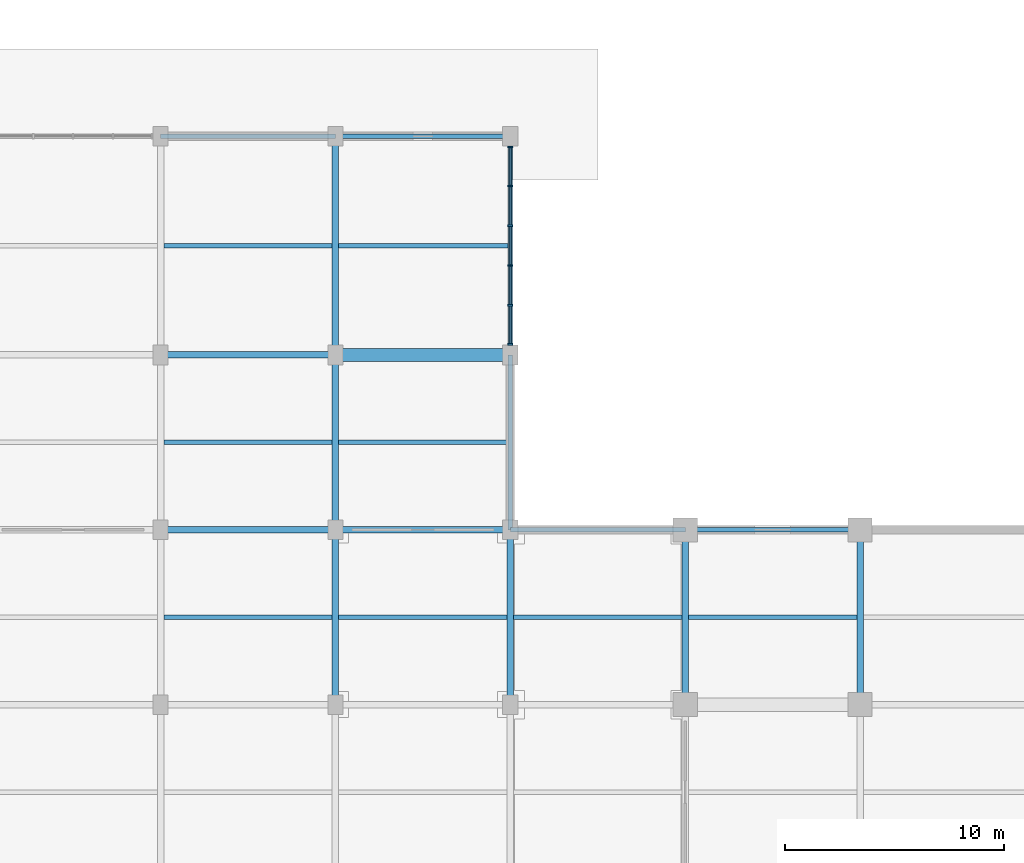
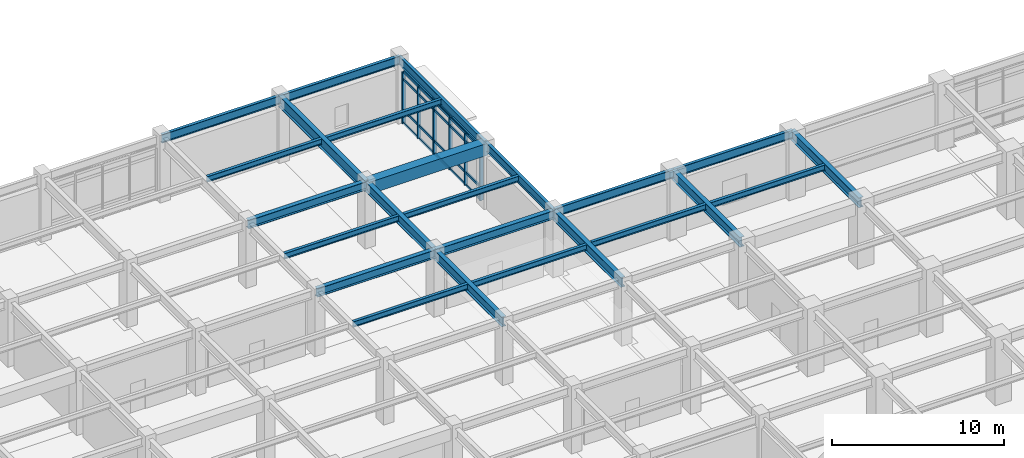
# One storey, part 54 of 125: 26 members, 24 beams, 1 element without a shape of its own.
"""IFC4 building model written with IfcOpenShell, lengths in metres."""

from ifc_helpers import new_model, si_unit, direction, frame, origin, origin_2d, place, context, subcontext, project, spatial, rectangle, i_section, extrude, material, layer, layer_set, material_profile, profile_set, type_object, element, aggregate, save


model = new_model("IFC4")

# Units and contexts
model_context = context("Model", 3, precision=1e-05, world=origin(), true_north=direction((0.0, 1.0)))
body_context = subcontext(model_context, "Body", "Model", "MODEL_VIEW")
ifc_project = project(units=[si_unit("LENGTHUNIT", "METRE"), si_unit("AREAUNIT", "SQUARE_METRE"), si_unit("VOLUMEUNIT", "CUBIC_METRE"), si_unit("PLANEANGLEUNIT", "RADIAN"), si_unit("MASSUNIT", "GRAM", prefix="KILO")], contexts=[model_context])

# Site, building, storey
site_placement = place(None, origin())
site = spatial("IfcSite", under=ifc_project, at=site_placement, CompositionType="ELEMENT")
building_placement = place(site_placement, origin())
building = spatial("IfcBuilding", under=site, at=building_placement, Name="Haebicheon Civic Stadium", CompositionType="ELEMENT")
storey_placement = place(building_placement, origin())
storey = spatial("IfcBuildingStorey", under=building, at=storey_placement, Name="L01", CompositionType="ELEMENT", Elevation=0.0)

# Beams
ifc_material_1 = material(Name="Steel SM355 (S355)", Category="steel")
ifc_material_profile_1 = material_profile(ifc_material_1, i_section(OverallWidth=0.300048828125, OverallDepth=0.60009765625, WebThickness=0.011962890625, FlangeThickness=0.02001953125, at=origin_2d()), Name="H-600x300x12x20")
ifc_profile_set_1 = profile_set([ifc_material_profile_1], Name="Steel SM355 (S355)")
beam_type_1 = type_object("IfcBeamType", Name="BM-ST-H600A", PredefinedType="BEAM", material=ifc_profile_set_1)
for number, where, z_axis, x_axis, name in (
    (1, (184.0, 160.0, 4.219970703125), (1.0, 0.0, 0.0), (0.0, 1.0, 0.0), "L01 beam W/24-25"),
    (2, (184.0, 168.0, 4.219970703125), (1.0, 0.0, 0.0), (0.0, 1.0, 0.0), "L01 beam X/24-25"),
    (3, (192.0, 160.0, 4.219970703125), (1.0, 0.0, 0.0), (0.0, 1.0, 0.0), "L01 beam W/25-26"),
):
    element("IfcBeam", number, at=place(storey_placement, frame(where, z_axis=z_axis, x_axis=x_axis)), inside=storey, type_object=beam_type_1, material=ifc_profile_set_1, Name=name, PredefinedType="BEAM", context=body_context, shape_type="SweptSolid", body=[
        extrude(i_section(OverallWidth=0.300048828125, OverallDepth=0.60009765625, WebThickness=0.011962890625, FlangeThickness=0.02001953125, at=origin_2d()), origin(), (0.0, 0.0, 1.0), 8.0),
    ])
ifc_material_2 = material(Name="Steel SM490", Category="steel")
ifc_material_profile_2 = material_profile(ifc_material_2, i_section(OverallWidth=0.300048828125, OverallDepth=0.699951171875, WebThickness=0.012939453125, FlangeThickness=0.02392578125, at=origin_2d()), Name="H-700x300x13x24")
ifc_profile_set_2 = profile_set([ifc_material_profile_2], Name="Steel SM490")
beam_type_2 = type_object("IfcBeamType", Name="BM-ST-H700", PredefinedType="BEAM", material=ifc_profile_set_2)
for number, where, z_axis, x_axis, name in (
    (4, (192.0, 152.0, 4.169921875), (0.0, 1.0, 0.0), (-1.0, 0.0, 0.0), "L01 girder 25/V-W"),
    (5, (192.0, 160.0, 4.169921875), (0.0, 1.0, 0.0), (-1.0, 0.0, 0.0), "L01 girder 25/W-X"),
    (6, (200.0, 152.0, 4.169921875), (0.0, 1.0, 0.0), (-1.0, 0.0, 0.0), "L01 girder 26/V-W"),
    (7, (208.0, 152.0, 4.22998046875), (0.0, 1.0, 0.0), (-1.0, 0.0, 0.0), "L01 girder 27/V-W"),
    (8, (216.0, 152.0, 4.22998046875), (0.0, 1.0, 0.0), (-1.0, 0.0, 0.0), "L01 girder 28/V-W"),
):
    element("IfcBeam", number, at=place(storey_placement, frame(where, z_axis=z_axis, x_axis=x_axis)), inside=storey, type_object=beam_type_2, material=ifc_profile_set_2, Name=name, PredefinedType="BEAM", context=body_context, shape_type="SweptSolid", body=[
        extrude(i_section(OverallWidth=0.300048828125, OverallDepth=0.699951171875, WebThickness=0.012939453125, FlangeThickness=0.02392578125, at=origin_2d()), origin(), (0.0, 0.0, 1.0), 8.0),
    ])
ifc_material_3 = material(Name="Steel SM490", Category="steel")
ifc_material_profile_3 = material_profile(ifc_material_3, i_section(OverallWidth=0.300048828125, OverallDepth=0.800048828125, WebThickness=0.013916015625, FlangeThickness=0.02587890625, at=origin_2d()), Name="H-800x300x14x26")
ifc_profile_set_3 = profile_set([ifc_material_profile_3], Name="Steel SM490")
beam_type_3 = type_object("IfcBeamType", Name="BM-ST-H800", PredefinedType="BEAM", material=ifc_profile_set_3)
beam_1_placement = place(storey_placement, frame((192.0, 168.0, 4.1201171875), z_axis=(0.0, 1.0, 0.0), x_axis=(-1.0, 0.0, 0.0)))
element("IfcBeam", 9, at=beam_1_placement, inside=storey, type_object=beam_type_3, material=ifc_profile_set_3, Name="L01 girder 25/X-Y", PredefinedType="BEAM", context=body_context, shape_type="SweptSolid", body=[
    extrude(i_section(OverallWidth=0.300048828125, OverallDepth=0.800048828125, WebThickness=0.013916015625, FlangeThickness=0.02587890625, at=origin_2d()), origin(), (0.0, 0.0, 1.0), 10.0),
])
ifc_material_4 = material(Name="Precast concrete C40/50", Category="concrete")
ifc_material_profile_4 = material_profile(ifc_material_4, rectangle(XDim=0.60009765625, YDim=0.85009765625, at=origin_2d()), Name="PC-TB-600x850")
ifc_profile_set_4 = profile_set([ifc_material_profile_4], Name="Precast concrete C40/50")
beam_type_4 = type_object("IfcBeamType", Name="BM-TB-600x850", PredefinedType="T_BEAM", material=ifc_profile_set_4)
beam_2_placement = place(storey_placement, frame((192.0, 168.0, 4.094970703125), z_axis=(1.0, 0.0, 0.0), x_axis=(0.0, 1.0, 0.0)))
element("IfcBeam", 10, at=beam_2_placement, inside=storey, type_object=beam_type_4, material=ifc_profile_set_4, Name="L01 beam X/25-26", PredefinedType="T_BEAM", context=body_context, shape_type="SweptSolid", body=[
    extrude(rectangle(XDim=0.60009765625, YDim=0.85009765625, at=origin_2d()), origin(), (0.0, 0.0, 1.0), 8.0),
])

# Curtain wall, members
ifc_material_5 = material(Name="Anodised aluminium and laminated glass", Category="aluminium")
ifc_layer = layer(ifc_material_5, 0.179931640625, Name="Anodised aluminium and laminated glass")
ifc_layer_set = layer_set([ifc_layer], Name="Anodised aluminium and laminated glass")
curtain_wall_type = type_object("IfcCurtainWallType", Name="CW-9100x3660", PredefinedType="NOTDEFINED", material=ifc_layer_set)
curtain_wall_placement = place(storey_placement, origin())
curtain_wall = element("IfcCurtainWall", 11, at=curtain_wall_placement, inside=storey, type_object=curtain_wall_type, material=ifc_layer_set, Name="L01 unitised curtain wall 024", PredefinedType="NOTDEFINED")
ifc_material_6 = material(Name="Anodised aluminium 6063-T6", Category="aluminium")
ifc_material_profile_5 = material_profile(ifc_material_6, rectangle(XDim=0.080078125, YDim=0.239990234375, at=origin_2d()), Name="ALU-MULL-80x240")
ifc_profile_set_5 = profile_set([ifc_material_profile_5], Name="Anodised aluminium 6063-T6")
member_type_1 = type_object("IfcMemberType", Name="CWM-240x80", PredefinedType="MULLION", material=ifc_profile_set_5)
member_1_placement = place(storey_placement, frame((200.0, 168.489990234375, 0.0), z_axis=(0.0, 0.0, 1.0), x_axis=(0.0, 1.0, 0.0)))
member_1 = element("IfcMember", 12, at=member_1_placement, type_object=member_type_1, material=ifc_profile_set_5, Name="CW-L01-024 vertical mullion 1", PredefinedType="MULLION", context=body_context, shape_type="SweptSolid", body=[
    extrude(rectangle(XDim=0.080078125, YDim=0.239990234375, at=origin_2d()), origin(), (0.0, 0.0, 1.0), 3.659912109375),
])
member_2_placement = place(storey_placement, frame((200.0, 170.27001953125, 0.0), z_axis=(0.0, 0.0, 1.0), x_axis=(0.0, 1.0, 0.0)))
member_2 = element("IfcMember", 13, at=member_2_placement, type_object=member_type_1, material=ifc_profile_set_5, Name="CW-L01-024 vertical mullion 2", PredefinedType="MULLION", context=body_context, shape_type="SweptSolid", body=[
    extrude(rectangle(XDim=0.080078125, YDim=0.239990234375, at=origin_2d()), origin(), (0.0, 0.0, 1.0), 3.659912109375),
])
member_3_placement = place(storey_placement, frame((200.0, 172.090087890625, 0.0), z_axis=(0.0, 0.0, 1.0), x_axis=(0.0, 1.0, 0.0)))
member_3 = element("IfcMember", 14, at=member_3_placement, type_object=member_type_1, material=ifc_profile_set_5, Name="CW-L01-024 vertical mullion 3", PredefinedType="MULLION", context=body_context, shape_type="SweptSolid", body=[
    extrude(rectangle(XDim=0.080078125, YDim=0.239990234375, at=origin_2d()), origin(), (0.0, 0.0, 1.0), 3.659912109375),
])
member_4_placement = place(storey_placement, frame((200.0, 173.909912109375, 0.0), z_axis=(0.0, 0.0, 1.0), x_axis=(0.0, 1.0, 0.0)))
member_4 = element("IfcMember", 15, at=member_4_placement, type_object=member_type_1, material=ifc_profile_set_5, Name="CW-L01-024 vertical mullion 4", PredefinedType="MULLION", context=body_context, shape_type="SweptSolid", body=[
    extrude(rectangle(XDim=0.080078125, YDim=0.239990234375, at=origin_2d()), origin(), (0.0, 0.0, 1.0), 3.659912109375),
])
member_5_placement = place(storey_placement, frame((200.0, 175.72998046875, 0.0), z_axis=(0.0, 0.0, 1.0), x_axis=(0.0, 1.0, 0.0)))
member_5 = element("IfcMember", 16, at=member_5_placement, type_object=member_type_1, material=ifc_profile_set_5, Name="CW-L01-024 vertical mullion 5", PredefinedType="MULLION", context=body_context, shape_type="SweptSolid", body=[
    extrude(rectangle(XDim=0.080078125, YDim=0.239990234375, at=origin_2d()), origin(), (0.0, 0.0, 1.0), 3.659912109375),
])
member_6_placement = place(storey_placement, frame((200.0, 177.510009765625, 0.0), z_axis=(0.0, 0.0, 1.0), x_axis=(0.0, 1.0, 0.0)))
member_6 = element("IfcMember", 17, at=member_6_placement, type_object=member_type_1, material=ifc_profile_set_5, Name="CW-L01-024 vertical mullion 6", PredefinedType="MULLION", context=body_context, shape_type="SweptSolid", body=[
    extrude(rectangle(XDim=0.080078125, YDim=0.239990234375, at=origin_2d()), origin(), (0.0, 0.0, 1.0), 3.659912109375),
])
ifc_material_7 = material(Name="Anodised aluminium 6063-T6", Category="aluminium")
ifc_material_profile_6 = material_profile(ifc_material_7, rectangle(XDim=0.080078125, YDim=0.179931640625, at=origin_2d()), Name="ALU-TRAN-80x180")
ifc_profile_set_6 = profile_set([ifc_material_profile_6], Name="Anodised aluminium 6063-T6")
member_type_2 = type_object("IfcMemberType", Name="CWT-180x80", PredefinedType="NOTDEFINED", material=ifc_profile_set_6)
member_7_placement = place(storey_placement, frame((200.0, 168.530029296875, 0.0), z_axis=(0.0, 1.0, 0.0), x_axis=(-1.0, 0.0, 0.0)))
member_7 = element("IfcMember", 18, at=member_7_placement, type_object=member_type_2, material=ifc_profile_set_6, Name="CW-L01-024 horizontal transom 1.1", ObjectType="TRANSOM", PredefinedType="USERDEFINED", context=body_context, shape_type="SweptSolid", body=[
    extrude(rectangle(XDim=0.080078125, YDim=0.179931640625, at=origin_2d()), origin(), (0.0, 0.0, 1.0), 1.699951171875),
])
member_8_placement = place(storey_placement, frame((200.0, 168.530029296875, 0.89990234375), z_axis=(0.0, 1.0, 0.0), x_axis=(-1.0, 0.0, 0.0)))
member_8 = element("IfcMember", 19, at=member_8_placement, type_object=member_type_2, material=ifc_profile_set_6, Name="CW-L01-024 horizontal transom 1.2", ObjectType="TRANSOM", PredefinedType="USERDEFINED", context=body_context, shape_type="SweptSolid", body=[
    extrude(rectangle(XDim=0.080078125, YDim=0.179931640625, at=origin_2d()), origin(), (0.0, 0.0, 1.0), 1.699951171875),
])
member_9_placement = place(storey_placement, frame((200.0, 168.530029296875, 3.110107421875), z_axis=(0.0, 1.0, 0.0), x_axis=(-1.0, 0.0, 0.0)))
member_9 = element("IfcMember", 20, at=member_9_placement, type_object=member_type_2, material=ifc_profile_set_6, Name="CW-L01-024 horizontal transom 1.3", ObjectType="TRANSOM", PredefinedType="USERDEFINED", context=body_context, shape_type="SweptSolid", body=[
    extrude(rectangle(XDim=0.080078125, YDim=0.179931640625, at=origin_2d()), origin(), (0.0, 0.0, 1.0), 1.699951171875),
])
member_10_placement = place(storey_placement, frame((200.0, 168.530029296875, 3.659912109375), z_axis=(0.0, 1.0, 0.0), x_axis=(-1.0, 0.0, 0.0)))
member_10 = element("IfcMember", 21, at=member_10_placement, type_object=member_type_2, material=ifc_profile_set_6, Name="CW-L01-024 horizontal transom 1.4", ObjectType="TRANSOM", PredefinedType="USERDEFINED", context=body_context, shape_type="SweptSolid", body=[
    extrude(rectangle(XDim=0.080078125, YDim=0.179931640625, at=origin_2d()), origin(), (0.0, 0.0, 1.0), 1.699951171875),
])
member_11_placement = place(storey_placement, frame((200.0, 170.31005859375, 0.0), z_axis=(0.0, 1.0, 0.0), x_axis=(-1.0, 0.0, 0.0)))
member_11 = element("IfcMember", 22, at=member_11_placement, type_object=member_type_2, material=ifc_profile_set_6, Name="CW-L01-024 horizontal transom 2.1", ObjectType="TRANSOM", PredefinedType="USERDEFINED", context=body_context, shape_type="SweptSolid", body=[
    extrude(rectangle(XDim=0.080078125, YDim=0.179931640625, at=origin_2d()), origin(), (0.0, 0.0, 1.0), 1.739990234375),
])
member_12_placement = place(storey_placement, frame((200.0, 170.31005859375, 0.89990234375), z_axis=(0.0, 1.0, 0.0), x_axis=(-1.0, 0.0, 0.0)))
member_12 = element("IfcMember", 23, at=member_12_placement, type_object=member_type_2, material=ifc_profile_set_6, Name="CW-L01-024 horizontal transom 2.2", ObjectType="TRANSOM", PredefinedType="USERDEFINED", context=body_context, shape_type="SweptSolid", body=[
    extrude(rectangle(XDim=0.080078125, YDim=0.179931640625, at=origin_2d()), origin(), (0.0, 0.0, 1.0), 1.739990234375),
])
member_13_placement = place(storey_placement, frame((200.0, 170.31005859375, 3.110107421875), z_axis=(0.0, 1.0, 0.0), x_axis=(-1.0, 0.0, 0.0)))
member_13 = element("IfcMember", 24, at=member_13_placement, type_object=member_type_2, material=ifc_profile_set_6, Name="CW-L01-024 horizontal transom 2.3", ObjectType="TRANSOM", PredefinedType="USERDEFINED", context=body_context, shape_type="SweptSolid", body=[
    extrude(rectangle(XDim=0.080078125, YDim=0.179931640625, at=origin_2d()), origin(), (0.0, 0.0, 1.0), 1.739990234375),
])
member_14_placement = place(storey_placement, frame((200.0, 170.31005859375, 3.659912109375), z_axis=(0.0, 1.0, 0.0), x_axis=(-1.0, 0.0, 0.0)))
member_14 = element("IfcMember", 25, at=member_14_placement, type_object=member_type_2, material=ifc_profile_set_6, Name="CW-L01-024 horizontal transom 2.4", ObjectType="TRANSOM", PredefinedType="USERDEFINED", context=body_context, shape_type="SweptSolid", body=[
    extrude(rectangle(XDim=0.080078125, YDim=0.179931640625, at=origin_2d()), origin(), (0.0, 0.0, 1.0), 1.739990234375),
])
member_15_placement = place(storey_placement, frame((200.0, 172.1298828125, 0.0), z_axis=(0.0, 1.0, 0.0), x_axis=(-1.0, 0.0, 0.0)))
member_15 = element("IfcMember", 26, at=member_15_placement, type_object=member_type_2, material=ifc_profile_set_6, Name="CW-L01-024 horizontal transom 3.1", ObjectType="TRANSOM", PredefinedType="USERDEFINED", context=body_context, shape_type="SweptSolid", body=[
    extrude(rectangle(XDim=0.080078125, YDim=0.179931640625, at=origin_2d()), origin(), (0.0, 0.0, 1.0), 1.740234375),
])
member_16_placement = place(storey_placement, frame((200.0, 172.1298828125, 0.89990234375), z_axis=(0.0, 1.0, 0.0), x_axis=(-1.0, 0.0, 0.0)))
member_16 = element("IfcMember", 27, at=member_16_placement, type_object=member_type_2, material=ifc_profile_set_6, Name="CW-L01-024 horizontal transom 3.2", ObjectType="TRANSOM", PredefinedType="USERDEFINED", context=body_context, shape_type="SweptSolid", body=[
    extrude(rectangle(XDim=0.080078125, YDim=0.179931640625, at=origin_2d()), origin(), (0.0, 0.0, 1.0), 1.740234375),
])
member_17_placement = place(storey_placement, frame((200.0, 172.1298828125, 3.110107421875), z_axis=(0.0, 1.0, 0.0), x_axis=(-1.0, 0.0, 0.0)))
member_17 = element("IfcMember", 28, at=member_17_placement, type_object=member_type_2, material=ifc_profile_set_6, Name="CW-L01-024 horizontal transom 3.3", ObjectType="TRANSOM", PredefinedType="USERDEFINED", context=body_context, shape_type="SweptSolid", body=[
    extrude(rectangle(XDim=0.080078125, YDim=0.179931640625, at=origin_2d()), origin(), (0.0, 0.0, 1.0), 1.740234375),
])
member_18_placement = place(storey_placement, frame((200.0, 172.1298828125, 3.659912109375), z_axis=(0.0, 1.0, 0.0), x_axis=(-1.0, 0.0, 0.0)))
member_18 = element("IfcMember", 29, at=member_18_placement, type_object=member_type_2, material=ifc_profile_set_6, Name="CW-L01-024 horizontal transom 3.4", ObjectType="TRANSOM", PredefinedType="USERDEFINED", context=body_context, shape_type="SweptSolid", body=[
    extrude(rectangle(XDim=0.080078125, YDim=0.179931640625, at=origin_2d()), origin(), (0.0, 0.0, 1.0), 1.740234375),
])
member_19_placement = place(storey_placement, frame((200.0, 173.949951171875, 0.0), z_axis=(0.0, 1.0, 0.0), x_axis=(-1.0, 0.0, 0.0)))
member_19 = element("IfcMember", 30, at=member_19_placement, type_object=member_type_2, material=ifc_profile_set_6, Name="CW-L01-024 horizontal transom 4.1", ObjectType="TRANSOM", PredefinedType="USERDEFINED", context=body_context, shape_type="SweptSolid", body=[
    extrude(rectangle(XDim=0.080078125, YDim=0.179931640625, at=origin_2d()), origin(), (0.0, 0.0, 1.0), 1.739990234375),
])
member_20_placement = place(storey_placement, frame((200.0, 173.949951171875, 0.89990234375), z_axis=(0.0, 1.0, 0.0), x_axis=(-1.0, 0.0, 0.0)))
member_20 = element("IfcMember", 31, at=member_20_placement, type_object=member_type_2, material=ifc_profile_set_6, Name="CW-L01-024 horizontal transom 4.2", ObjectType="TRANSOM", PredefinedType="USERDEFINED", context=body_context, shape_type="SweptSolid", body=[
    extrude(rectangle(XDim=0.080078125, YDim=0.179931640625, at=origin_2d()), origin(), (0.0, 0.0, 1.0), 1.739990234375),
])
member_21_placement = place(storey_placement, frame((200.0, 173.949951171875, 3.110107421875), z_axis=(0.0, 1.0, 0.0), x_axis=(-1.0, 0.0, 0.0)))
member_21 = element("IfcMember", 32, at=member_21_placement, type_object=member_type_2, material=ifc_profile_set_6, Name="CW-L01-024 horizontal transom 4.3", ObjectType="TRANSOM", PredefinedType="USERDEFINED", context=body_context, shape_type="SweptSolid", body=[
    extrude(rectangle(XDim=0.080078125, YDim=0.179931640625, at=origin_2d()), origin(), (0.0, 0.0, 1.0), 1.739990234375),
])
member_22_placement = place(storey_placement, frame((200.0, 173.949951171875, 3.659912109375), z_axis=(0.0, 1.0, 0.0), x_axis=(-1.0, 0.0, 0.0)))
member_22 = element("IfcMember", 33, at=member_22_placement, type_object=member_type_2, material=ifc_profile_set_6, Name="CW-L01-024 horizontal transom 4.4", ObjectType="TRANSOM", PredefinedType="USERDEFINED", context=body_context, shape_type="SweptSolid", body=[
    extrude(rectangle(XDim=0.080078125, YDim=0.179931640625, at=origin_2d()), origin(), (0.0, 0.0, 1.0), 1.739990234375),
])
member_23_placement = place(storey_placement, frame((200.0, 175.77001953125, 0.0), z_axis=(0.0, 1.0, 0.0), x_axis=(-1.0, 0.0, 0.0)))
member_23 = element("IfcMember", 34, at=member_23_placement, type_object=member_type_2, material=ifc_profile_set_6, Name="CW-L01-024 horizontal transom 5.1", ObjectType="TRANSOM", PredefinedType="USERDEFINED", context=body_context, shape_type="SweptSolid", body=[
    extrude(rectangle(XDim=0.080078125, YDim=0.179931640625, at=origin_2d()), origin(), (0.0, 0.0, 1.0), 1.699951171875),
])
member_24_placement = place(storey_placement, frame((200.0, 175.77001953125, 0.89990234375), z_axis=(0.0, 1.0, 0.0), x_axis=(-1.0, 0.0, 0.0)))
member_24 = element("IfcMember", 35, at=member_24_placement, type_object=member_type_2, material=ifc_profile_set_6, Name="CW-L01-024 horizontal transom 5.2", ObjectType="TRANSOM", PredefinedType="USERDEFINED", context=body_context, shape_type="SweptSolid", body=[
    extrude(rectangle(XDim=0.080078125, YDim=0.179931640625, at=origin_2d()), origin(), (0.0, 0.0, 1.0), 1.699951171875),
])
member_25_placement = place(storey_placement, frame((200.0, 175.77001953125, 3.110107421875), z_axis=(0.0, 1.0, 0.0), x_axis=(-1.0, 0.0, 0.0)))
member_25 = element("IfcMember", 36, at=member_25_placement, type_object=member_type_2, material=ifc_profile_set_6, Name="CW-L01-024 horizontal transom 5.3", ObjectType="TRANSOM", PredefinedType="USERDEFINED", context=body_context, shape_type="SweptSolid", body=[
    extrude(rectangle(XDim=0.080078125, YDim=0.179931640625, at=origin_2d()), origin(), (0.0, 0.0, 1.0), 1.699951171875),
])
member_26_placement = place(storey_placement, frame((200.0, 175.77001953125, 3.659912109375), z_axis=(0.0, 1.0, 0.0), x_axis=(-1.0, 0.0, 0.0)))
member_26 = element("IfcMember", 37, at=member_26_placement, type_object=member_type_2, material=ifc_profile_set_6, Name="CW-L01-024 horizontal transom 5.4", ObjectType="TRANSOM", PredefinedType="USERDEFINED", context=body_context, shape_type="SweptSolid", body=[
    extrude(rectangle(XDim=0.080078125, YDim=0.179931640625, at=origin_2d()), origin(), (0.0, 0.0, 1.0), 1.699951171875),
])
aggregate(curtain_wall, [member_1, member_2, member_3, member_4, member_5, member_6, member_7, member_8, member_9, member_10, member_11, member_12, member_13, member_14, member_15, member_16, member_17, member_18, member_19, member_20, member_21, member_22, member_23, member_24, member_25, member_26])

# Beams
ifc_material_8 = material(Name="Steel SM355 (S355)", Category="steel")
ifc_material_profile_7 = material_profile(ifc_material_8, i_section(OverallWidth=0.199951171875, OverallDepth=0.39990234375, WebThickness=0.008056640625, FlangeThickness=0.012939453125, at=origin_2d()), Name="H-400x200x8x13")
ifc_profile_set_7 = profile_set([ifc_material_profile_7], Name="Steel SM355 (S355)")
beam_type_5 = type_object("IfcBeamType", Name="JST-ST-H400", PredefinedType="JOIST", material=ifc_profile_set_7)
for number, where, z_axis, x_axis, name in (
    (38, (184.14990234375, 156.0, 4.320068359375), (1.0, 0.0, 0.0), (0.0, 1.0, 0.0), "L01 secondary joist 23-19"),
    (39, (184.14990234375, 164.0, 4.320068359375), (1.0, 0.0, 0.0), (0.0, 1.0, 0.0), "L01 secondary joist 23-20"),
    (40, (184.14990234375, 173.0, 4.320068359375), (1.0, 0.0, 0.0), (0.0, 1.0, 0.0), "L01 secondary joist 23-21"),
    (41, (192.14990234375, 156.0, 4.320068359375), (1.0, 0.0, 0.0), (0.0, 1.0, 0.0), "L01 secondary joist 24-19"),
):
    element("IfcBeam", number, at=place(storey_placement, frame(where, z_axis=z_axis, x_axis=x_axis)), inside=storey, type_object=beam_type_5, material=ifc_profile_set_7, Name=name, PredefinedType="JOIST", context=body_context, shape_type="SweptSolid", body=[
        extrude(i_section(OverallWidth=0.199951171875, OverallDepth=0.39990234375, WebThickness=0.008056640625, FlangeThickness=0.012939453125, at=origin_2d()), origin(), (0.0, 0.0, 1.0), 7.7001953125),
    ])
for number, where, z_axis, x_axis, name in (
    (42, (192.14990234375, 164.0, 4.320068359375), (1.0, 0.0, 0.0), (0.0, 1.0, 0.0), "L01 secondary joist 24-20"),
    (43, (192.14990234375, 173.0, 4.320068359375), (1.0, 0.0, 0.0), (0.0, 1.0, 0.0), "L01 secondary joist 24-21"),
):
    element("IfcBeam", number, at=place(storey_placement, frame(where, z_axis=z_axis, x_axis=x_axis)), inside=storey, type_object=beam_type_5, material=ifc_profile_set_7, Name=name, PredefinedType="JOIST", context=body_context, shape_type="SweptSolid", body=[
        extrude(i_section(OverallWidth=0.199951171875, OverallDepth=0.39990234375, WebThickness=0.008056640625, FlangeThickness=0.012939453125, at=origin_2d()), origin(), (0.0, 0.0, 1.0), 7.75),
    ])
for number, where, z_axis, x_axis, name in (
    (44, (200.14990234375, 156.0, 4.3798828125), (1.0, 0.0, 0.0), (0.0, 1.0, 0.0), "L01 secondary joist 25-19"),
    (45, (208.14990234375, 156.0, 4.3798828125), (1.0, 0.0, 0.0), (0.0, 1.0, 0.0), "L01 secondary joist 26-19"),
):
    element("IfcBeam", number, at=place(storey_placement, frame(where, z_axis=z_axis, x_axis=x_axis)), inside=storey, type_object=beam_type_5, material=ifc_profile_set_7, Name=name, PredefinedType="JOIST", context=body_context, shape_type="SweptSolid", body=[
        extrude(i_section(OverallWidth=0.199951171875, OverallDepth=0.39990234375, WebThickness=0.008056640625, FlangeThickness=0.012939453125, at=origin_2d()), origin(), (0.0, 0.0, 1.0), 7.7001953125),
    ])
ifc_material_9 = material(Name="Steel SM355 (S355)", Category="steel")
ifc_material_profile_8 = material_profile(ifc_material_9, i_section(OverallWidth=0.199951171875, OverallDepth=0.60009765625, WebThickness=0.010986328125, FlangeThickness=0.01708984375, at=origin_2d()), Name="H-600x200x11x17")
ifc_profile_set_8 = profile_set([ifc_material_profile_8], Name="Steel SM355 (S355)")
beam_type_6 = type_object("IfcBeamType", Name="SPD-ST-H600B", PredefinedType="SPANDREL", material=ifc_profile_set_8)
beam_3_placement = place(storey_placement, frame((200.0, 160.0, 4.219970703125), z_axis=(0.0, 1.0, 0.0), x_axis=(-1.0, 0.0, 0.0)))
element("IfcBeam", 46, at=beam_3_placement, inside=storey, type_object=beam_type_6, material=ifc_profile_set_8, Name="L01 girder 26/W-X", PredefinedType="SPANDREL", context=body_context, shape_type="SweptSolid", body=[
    extrude(i_section(OverallWidth=0.199951171875, OverallDepth=0.60009765625, WebThickness=0.010986328125, FlangeThickness=0.01708984375, at=origin_2d()), origin(), (0.0, 0.0, 1.0), 8.0),
])
beam_4_placement = place(storey_placement, frame((200.0, 168.0, 4.219970703125), z_axis=(0.0, 1.0, 0.0), x_axis=(-1.0, 0.0, 0.0)))
element("IfcBeam", 47, at=beam_4_placement, inside=storey, type_object=beam_type_6, material=ifc_profile_set_8, Name="L01 girder 26/X-Y", PredefinedType="SPANDREL", context=body_context, shape_type="SweptSolid", body=[
    extrude(i_section(OverallWidth=0.199951171875, OverallDepth=0.60009765625, WebThickness=0.010986328125, FlangeThickness=0.01708984375, at=origin_2d()), origin(), (0.0, 0.0, 1.0), 10.0),
])
for number, where, z_axis, x_axis, name in (
    (48, (184.0, 178.0, 4.219970703125), (1.0, 0.0, 0.0), (0.0, 1.0, 0.0), "L01 beam Y/24-25"),
    (49, (192.0, 178.0, 4.219970703125), (1.0, 0.0, 0.0), (0.0, 1.0, 0.0), "L01 beam Y/25-26"),
    (50, (200.0, 160.0, 4.280029296875), (1.0, 0.0, 0.0), (0.0, 1.0, 0.0), "L01 beam W/26-27"),
    (51, (208.0, 160.0, 4.280029296875), (1.0, 0.0, 0.0), (0.0, 1.0, 0.0), "L01 beam W/27-28"),
):
    element("IfcBeam", number, at=place(storey_placement, frame(where, z_axis=z_axis, x_axis=x_axis)), inside=storey, type_object=beam_type_6, material=ifc_profile_set_8, Name=name, PredefinedType="SPANDREL", context=body_context, shape_type="SweptSolid", body=[
        extrude(i_section(OverallWidth=0.199951171875, OverallDepth=0.60009765625, WebThickness=0.010986328125, FlangeThickness=0.01708984375, at=origin_2d()), origin(), (0.0, 0.0, 1.0), 8.0),
    ])

save(model, "model.ifc")
